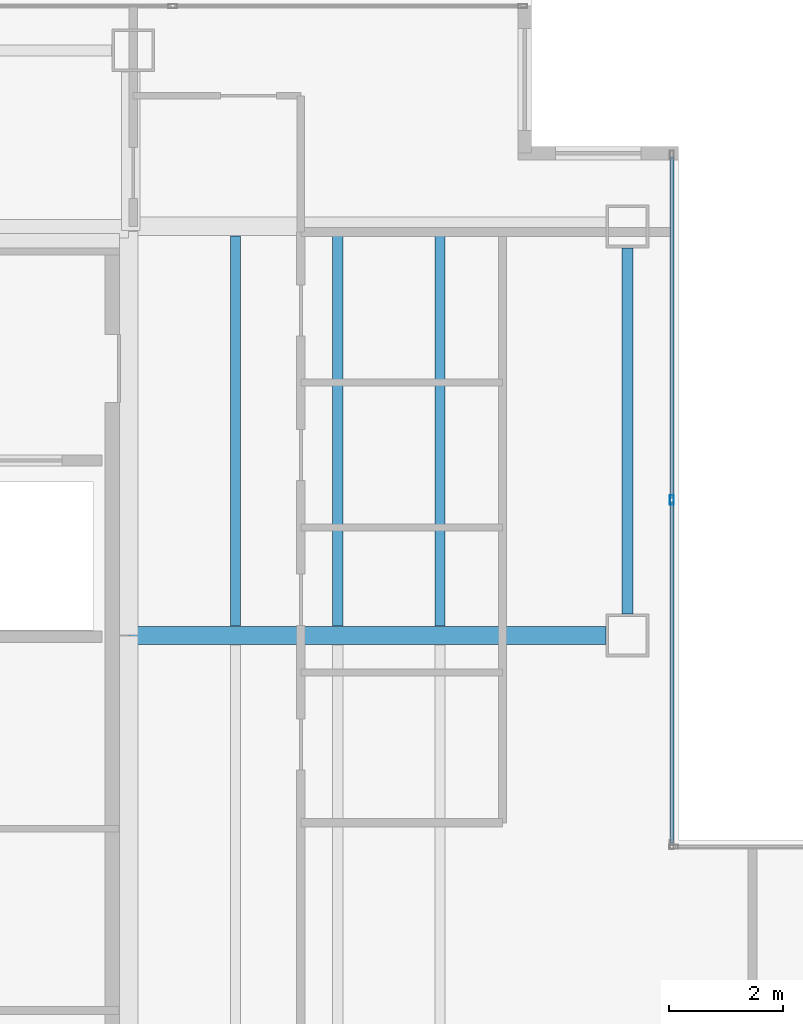
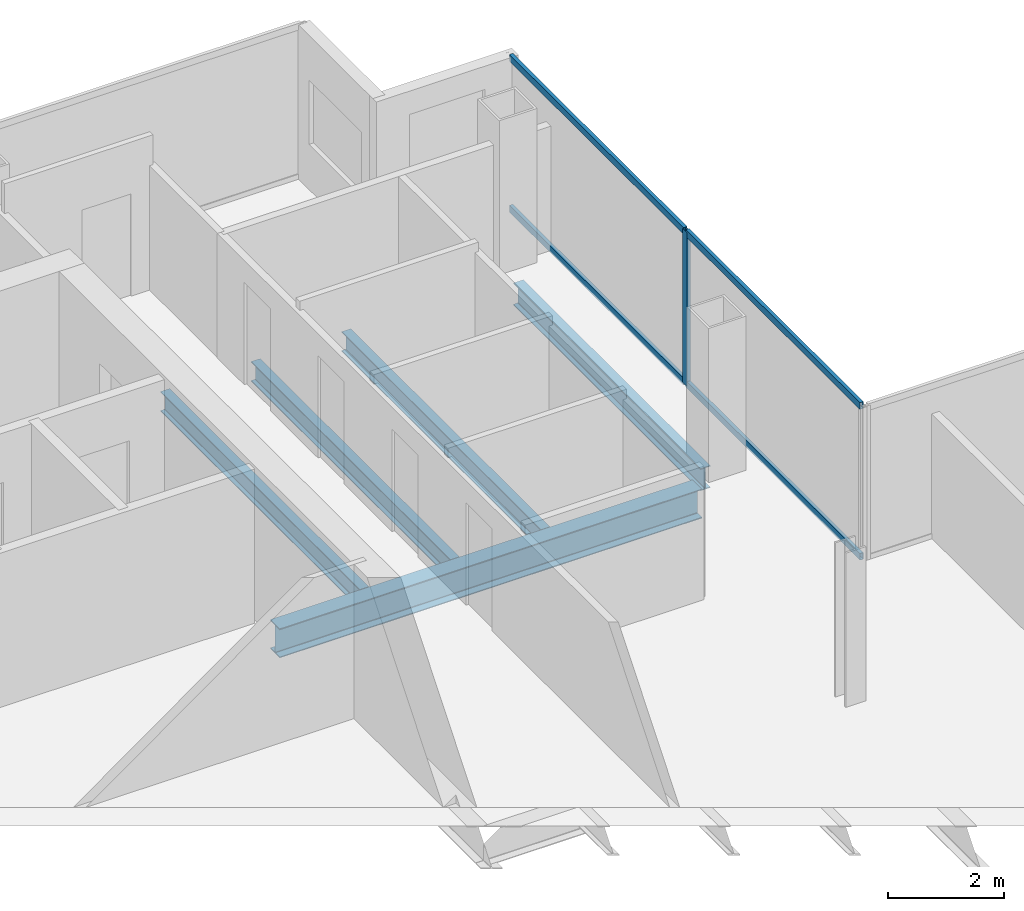
# One storey, part 9 of 23: 5 beams, 5 members, 1 element without a shape of its own.
"""IFC4 building model written with IfcOpenShell, lengths in metres."""

from ifc_helpers import new_model, si_unit, direction, frame, origin, origin_2d, place, context, subcontext, project, spatial, hollow_rectangle, i_section, extrude, material, material_profile, profile_set, type_object, element, aggregate, save


model = new_model("IFC4")

# Units and contexts
model_context = context("Model", 3, precision=1e-05, world=origin(), true_north=direction((0.0, 1.0)))
body_context = subcontext(model_context, "Body", "Model", "MODEL_VIEW")
ifc_project = project(units=[si_unit("LENGTHUNIT", "METRE"), si_unit("AREAUNIT", "SQUARE_METRE"), si_unit("VOLUMEUNIT", "CUBIC_METRE"), si_unit("PLANEANGLEUNIT", "RADIAN"), si_unit("MASSUNIT", "GRAM", prefix="KILO")], contexts=[model_context])

# Site, building, storey
site_placement = place(None, origin())
site = spatial("IfcSite", under=ifc_project, at=site_placement, CompositionType="ELEMENT")
building_placement = place(site_placement, origin())
building = spatial("IfcBuilding", under=site, at=building_placement, Name="Cobrela Telecom Tower", CompositionType="ELEMENT")
storey_placement = place(building_placement, frame((0.0, 0.0, 204.75)))
storey = spatial("IfcBuildingStorey", under=building, at=storey_placement, Name="L52", CompositionType="ELEMENT", Elevation=204.75)

# Beams
ifc_material_1 = material(Name="Steel ASTM A992 Grade 50", Category="steel")
ifc_material_profile_1 = material_profile(ifc_material_1, i_section(OverallWidth=0.324951171875, OverallDepth=0.612060546875, WebThickness=0.0126953125, FlangeThickness=0.01904296875, FilletRadius=0.014892578125, at=origin_2d()), Name="W24X104")
ifc_profile_set_1 = profile_set([ifc_material_profile_1], Name="Steel ASTM A992 Grade 50")
beam_type_1 = type_object("IfcBeamType", Name="BM-GIRD-07", PredefinedType="USERDEFINED", material=ifc_profile_set_1)
beam_1_placement = place(storey_placement, frame((14.324951171875, 28.800048828125, -0.56591796875), z_axis=(1.0, 0.0, 0.0), x_axis=(0.0, 1.0, 0.0)))
element("IfcBeam", 1, at=beam_1_placement, inside=storey, type_object=beam_type_1, Name="L52 Primary Girder X19", ObjectType="GIRDER", PredefinedType="USERDEFINED", context=body_context, shape_type="SweptSolid", body=[
    extrude(i_section(OverallWidth=0.324951171875, OverallDepth=0.612060546875, WebThickness=0.0126953125, FlangeThickness=0.01904296875, FilletRadius=0.014892578125, at=origin_2d()), origin(), (0.0, 0.0, 1.0), 8.39501953125),
])
ifc_material_profile_2 = material_profile(ifc_material_1, i_section(OverallWidth=0.179931640625, OverallDepth=0.4169921875, WebThickness=0.010986328125, FlangeThickness=0.01806640625, FilletRadius=0.011962890625, at=origin_2d()), Name="W16X57")
ifc_profile_set_2 = profile_set([ifc_material_profile_2], Name="Steel ASTM A992 Grade 50")
beam_type_2 = type_object("IfcBeamType", Name="BM-JOIST-04", PredefinedType="JOIST", material=ifc_profile_set_2)
for number, where, z_axis, x_axis, name in (
    (2, (16.199951171875, 28.967529296875, -0.468505859375), (0.0, 1.0, 0.0), (-1.0, 0.0, 0.0), "L52 Secondary Composite Floor Beam J04"),
    (3, (18.0, 28.967529296875, -0.468505859375), (0.0, 1.0, 0.0), (-1.0, 0.0, 0.0), "L52 Secondary Composite Floor Beam J08"),
    (4, (19.800048828125, 28.967529296875, -0.468505859375), (0.0, 1.0, 0.0), (-1.0, 0.0, 0.0), "L52 Secondary Composite Floor Beam J12"),
):
    element("IfcBeam", number, at=place(storey_placement, frame(where, z_axis=z_axis, x_axis=x_axis)), inside=storey, type_object=beam_type_2, Name=name, PredefinedType="JOIST", context=body_context, shape_type="SweptSolid", body=[
        extrude(i_section(OverallWidth=0.179931640625, OverallDepth=0.4169921875, WebThickness=0.010986328125, FlangeThickness=0.01806640625, FilletRadius=0.011962890625, at=origin_2d()), origin(), (0.0, 0.0, 1.0), 6.864990234375),
    ])
ifc_material_profile_3 = material_profile(ifc_material_1, i_section(OverallWidth=0.193115234375, OverallDepth=0.467041015625, WebThickness=0.011474609375, FlangeThickness=0.01904296875, FilletRadius=0.012939453125, at=origin_2d()), Name="W18X65")
ifc_profile_set_3 = profile_set([ifc_material_profile_3], Name="Steel ASTM A992 Grade 50")
beam_type_3 = type_object("IfcBeamType", Name="BM-SPAND-05", PredefinedType="SPANDREL", material=ifc_profile_set_3)
beam_2_placement = place(storey_placement, frame((23.10009765625, 29.179931640625, -0.493408203125), z_axis=(0.0, 1.0, 0.0), x_axis=(-1.0, 0.0, 0.0)))
element("IfcBeam", 5, at=beam_2_placement, inside=storey, type_object=beam_type_3, Name="L52 Perimeter Spandrel Y35", PredefinedType="SPANDREL", context=body_context, shape_type="SweptSolid", body=[
    extrude(i_section(OverallWidth=0.193115234375, OverallDepth=0.467041015625, WebThickness=0.011474609375, FlangeThickness=0.01904296875, FilletRadius=0.012939453125, at=origin_2d()), origin(), (0.0, 0.0, 1.0), 6.440185546875),
])

# Curtain wall, members
ifc_material_2 = material(Name="Anodized Bronze Aluminium 6063-T6", Category="aluminium")
curtain_wall_type = type_object("IfcCurtainWallType", Name="CW-SYS-OFF-LO", PredefinedType="USERDEFINED", material=ifc_material_2)
curtain_wall_placement = place(storey_placement, origin())
curtain_wall = element("IfcCurtainWall", 6, at=curtain_wall_placement, inside=storey, type_object=curtain_wall_type, Name="L52 Unitised Bronze Curtain Wall 10", ObjectType="UNITISED CURTAIN WALL", PredefinedType="USERDEFINED")
ifc_material_profile_4 = material_profile(ifc_material_2, hollow_rectangle(XDim=0.070068359375, YDim=0.159912109375, WallThickness=0.00390625, at=origin_2d()), Name="ALU 70x160x4")
ifc_profile_set_4 = profile_set([ifc_material_profile_4], Name="Anodized Bronze Aluminium 6063-T6")
member_type_1 = type_object("IfcMemberType", Name="CW-SYS-OFF-LO-MUL", PredefinedType="MULLION", material=ifc_profile_set_4)
member_1_placement = place(storey_placement, frame((23.8798828125, 31.18505859375, 0.0), z_axis=(0.0, 0.0, 1.0), x_axis=(1.0, 0.0, 0.0)))
member_1 = element("IfcMember", 7, at=member_1_placement, type_object=member_type_1, Name="CW-OFF-LO mullion 2", PredefinedType="MULLION", context=body_context, shape_type="SweptSolid", body=[
    extrude(hollow_rectangle(XDim=0.070068359375, YDim=0.159912109375, WallThickness=0.00390625, at=origin_2d()), origin(), (0.0, 0.0, 1.0), 3.239990234375),
])
ifc_material_profile_5 = material_profile(ifc_material_2, hollow_rectangle(XDim=0.070068359375, YDim=0.139892578125, WallThickness=0.00390625, at=origin_2d()), Name="ALU 70x140x4")
ifc_profile_set_5 = profile_set([ifc_material_profile_5], Name="Anodized Bronze Aluminium 6063-T6")
member_type_2 = type_object("IfcMemberType", Name="CW-SYS-OFF-LO-TRN", PredefinedType="USERDEFINED", material=ifc_profile_set_5)
member_2_placement = place(storey_placement, frame((23.8798828125, 37.219970703125, 0.034912109375), z_axis=(0.0, -1.0, 0.0), x_axis=(1.0, 0.0, 0.0)))
member_2 = element("IfcMember", 8, at=member_2_placement, type_object=member_type_2, Name="CW-OFF-LO transom 1.1", ObjectType="TRANSOM", PredefinedType="USERDEFINED", context=body_context, shape_type="SweptSolid", body=[
    extrude(hollow_rectangle(XDim=0.070068359375, YDim=0.139892578125, WallThickness=0.00390625, at=origin_2d()), origin(), (0.0, 0.0, 1.0), 6.0),
])
member_3_placement = place(storey_placement, frame((23.8798828125, 37.219970703125, 3.205078125), z_axis=(0.0, -1.0, 0.0), x_axis=(1.0, 0.0, 0.0)))
member_3 = element("IfcMember", 9, at=member_3_placement, type_object=member_type_2, Name="CW-OFF-LO transom 1.2", ObjectType="TRANSOM", PredefinedType="USERDEFINED", context=body_context, shape_type="SweptSolid", body=[
    extrude(hollow_rectangle(XDim=0.070068359375, YDim=0.139892578125, WallThickness=0.00390625, at=origin_2d()), origin(), (0.0, 0.0, 1.0), 6.0),
])
member_4_placement = place(storey_placement, frame((23.8798828125, 31.14990234375, 0.034912109375), z_axis=(0.0, -1.0, 0.0), x_axis=(1.0, 0.0, 0.0)))
member_4 = element("IfcMember", 10, at=member_4_placement, type_object=member_type_2, Name="CW-OFF-LO transom 2.1", ObjectType="TRANSOM", PredefinedType="USERDEFINED", context=body_context, shape_type="SweptSolid", body=[
    extrude(hollow_rectangle(XDim=0.070068359375, YDim=0.139892578125, WallThickness=0.00390625, at=origin_2d()), origin(), (0.0, 0.0, 1.0), 6.0),
])
member_5_placement = place(storey_placement, frame((23.8798828125, 31.14990234375, 3.205078125), z_axis=(0.0, -1.0, 0.0), x_axis=(1.0, 0.0, 0.0)))
member_5 = element("IfcMember", 11, at=member_5_placement, type_object=member_type_2, Name="CW-OFF-LO transom 2.2", ObjectType="TRANSOM", PredefinedType="USERDEFINED", context=body_context, shape_type="SweptSolid", body=[
    extrude(hollow_rectangle(XDim=0.070068359375, YDim=0.139892578125, WallThickness=0.00390625, at=origin_2d()), origin(), (0.0, 0.0, 1.0), 6.0),
])
aggregate(curtain_wall, [member_1, member_2, member_3, member_4, member_5])

save(model, "model.ifc")
